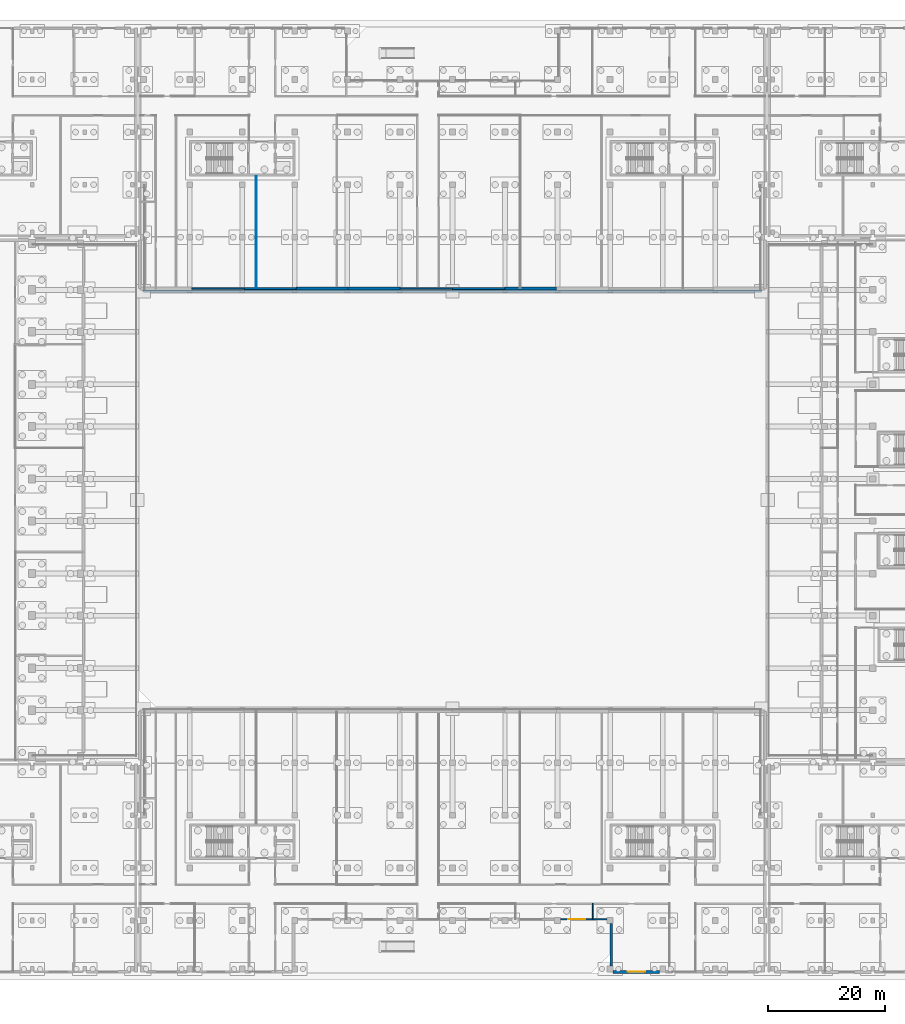
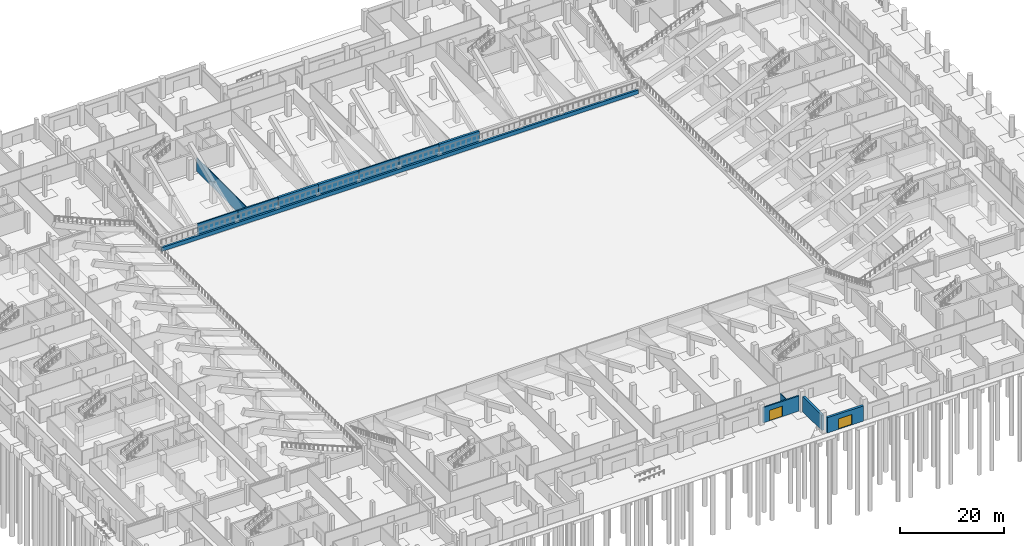
# One storey, part 23 of 53: 13 walls, 2 doors, 2 openings.
"""IFC4 building model written with IfcOpenShell, lengths in metres."""

from ifc_helpers import new_model, si_unit, direction, frame, frame_2d, origin, place, context, subcontext, project, spatial, rectangle, extrude, material, layer, layer_set, type_object, element, fill, save


model = new_model("IFC4")

# Units and contexts
model_context = context("Model", 3, precision=1e-05, world=origin(), true_north=direction((0.0, 1.0)))
body_context = subcontext(model_context, "Body", "Model", "MODEL_VIEW")
ifc_project = project(units=[si_unit("LENGTHUNIT", "METRE"), si_unit("AREAUNIT", "SQUARE_METRE"), si_unit("VOLUMEUNIT", "CUBIC_METRE"), si_unit("PLANEANGLEUNIT", "RADIAN"), si_unit("MASSUNIT", "GRAM", prefix="KILO"), si_unit("THERMODYNAMICTEMPERATUREUNIT", "KELVIN"), si_unit("POWERUNIT", "WATT")], contexts=[model_context])

# Site, building, storey
site_placement = place(None, origin())
site = spatial("IfcSite", under=ifc_project, at=site_placement, CompositionType="ELEMENT")
building_placement = place(site_placement, origin())
building = spatial("IfcBuilding", under=site, at=building_placement, Name="Sindhuravela Promenade Stadium", CompositionType="ELEMENT")
storey_placement = place(building_placement, origin())
storey = spatial("IfcBuildingStorey", under=building, at=storey_placement, Name="L00", CompositionType="ELEMENT", Elevation=0.0)

# Walls
ifc_material_1 = material(Name="Dholpur sandstone ashlar (45 MPa)", Category="masonry")
ifc_layer_1 = layer(ifc_material_1, 0.2900390625)
ifc_layer_set_1 = layer_set([ifc_layer_1], Name="Dholpur sandstone ashlar (45 MPa)")
wall_type_1 = type_object("IfcWallType", Name="EX-WL-SND290", PredefinedType="SOLIDWALL", material=ifc_layer_set_1)
for number, where, z_axis, x_axis, name in (
    (1, (108.0, 117.199951171875, 0.0), (0.0, 0.0, 1.0), (-1.0, 0.0, 0.0), "Exterior masonry wall EW10 NORTH L00"),
    (2, (72.300048828125, 117.199951171875, 0.0), (0.0, 0.0, 1.0), (-1.0, 0.0, 0.0), "Exterior masonry wall EW10 NORTH L00"),
):
    element("IfcWall", number, at=place(storey_placement, frame(where, z_axis=z_axis, x_axis=x_axis)), inside=storey, type_object=wall_type_1, Name=name, PredefinedType="SOLIDWALL", context=body_context, shape_type="SweptSolid", body=[
        extrude(rectangle(XDim=8.925048828125, YDim=0.2900390625, at=frame_2d((4.46240234375, 0.0))), origin(), (0.0, 0.0, 1.0), 3.280029296875),
    ])
ifc_layer_2 = layer(ifc_material_1, 0.31005859375)
ifc_layer_set_2 = layer_set([ifc_layer_2], Name="Dholpur sandstone ashlar (45 MPa)")
wall_type_2 = type_object("IfcWallType", Name="EX-WL-SND310", PredefinedType="SOLIDWALL", material=ifc_layer_set_2)
for number, where, z_axis, x_axis, name in (
    (3, (116.925048828125, 117.199951171875, 0.0), (0.0, 0.0, 1.0), (-1.0, 0.0, 0.0), "Exterior masonry wall EW09 NORTH L00"),
    (4, (81.22509765625, 117.199951171875, 0.0), (0.0, 0.0, 1.0), (-1.0, 0.0, 0.0), "Exterior masonry wall EW09 NORTH L00"),
):
    element("IfcWall", number, at=place(storey_placement, frame(where, z_axis=z_axis, x_axis=x_axis)), inside=storey, type_object=wall_type_2, Name=name, PredefinedType="SOLIDWALL", context=body_context, shape_type="SweptSolid", body=[
        extrude(rectangle(XDim=8.925048828125, YDim=0.31005859375, at=frame_2d((4.46240234375, 0.0))), origin(), (0.0, 0.0, 1.0), 3.280029296875),
    ])

# Wall, opening, door
wall_1_placement = place(storey_placement, frame((134.4951171875, 9.199951171875, 0.0), z_axis=(0.0, 0.0, 1.0), x_axis=(-1.0, 0.0, 0.0)))
wall_1 = element("IfcWall", 5, at=wall_1_placement, inside=storey, type_object=wall_type_2, Name="Exterior masonry wall EW09 SOUTH L00", PredefinedType="SOLIDWALL", context=body_context, shape_type="SweptSolid", body=[
    extrude(rectangle(XDim=7.990234375, YDim=0.31005859375, at=frame_2d((3.9951171875, 0.0))), origin(), (0.0, 0.0, 1.0), 3.580078125),
])
opening_1_placement = place(wall_1_placement, frame((3.744140625, 0.0, 0.0)))
opening_1 = element("IfcOpeningElement", 6, at=opening_1_placement, cuts=wall_1, Name="Opening G04", PredefinedType="OPENING", context=body_context, shape_type="SweptSolid", body=[
    extrude(rectangle(XDim=2.89990234375, YDim=2.449951171875, at=frame_2d((1.449951171875, 1.22509765625))), frame((0.0, 0.1650390625, 0.0), z_axis=(0.0, -1.0, 0.0), x_axis=(1.0, 0.0, 0.0)), (0.0, 0.0, 1.0), 0.330078125),
])
ifc_material_2 = material(Name="Anodised architectural aluminium 6063-T6", Category="aluminium")
door_type_1 = type_object("IfcDoorType", Name="DR-EXIT-2900x2450", OperationType="DOUBLE_DOOR_SINGLE_SWING", PredefinedType="DOOR", material=ifc_material_2)
door_1_placement = place(opening_1_placement, origin())
door_1 = element("IfcDoor", 7, at=door_1_placement, inside=storey, type_object=door_type_1, Name="Gate exit door G04", OperationType="DOUBLE_DOOR_SINGLE_SWING", OverallHeight=2.449951171875, OverallWidth=2.89990234375, PredefinedType="DOOR", context=body_context, shape_type="SweptSolid", body=[
    extrude(rectangle(XDim=2.89990234375, YDim=2.449951171875, at=frame_2d((1.449951171875, 1.22509765625))), frame((0.0, 0.02490234375, 0.0), z_axis=(0.0, -1.0, 0.0), x_axis=(1.0, 0.0, 0.0)), (0.0, 0.0, 1.0), 0.050048828125),
])
fill(opening_1, door_1)

# Walls
ifc_layer_3 = layer(ifc_material_1, 0.47998046875)
ifc_layer_set_3 = layer_set([ifc_layer_3], Name="Dholpur sandstone ashlar (45 MPa)")
wall_type_3 = type_object("IfcWallType", Name="EX-WL-SND480", PredefinedType="SOLIDWALL", material=ifc_layer_set_3)
wall_2_placement = place(storey_placement, frame((125.85009765625, 117.199951171875, 0.0), z_axis=(0.0, 0.0, 1.0), x_axis=(-1.0, 0.0, 0.0)))
element("IfcWall", 8, at=wall_2_placement, inside=storey, type_object=wall_type_3, Name="Exterior masonry wall EW08 NORTH L00", PredefinedType="SOLIDWALL", context=body_context, shape_type="SweptSolid", body=[
    extrude(rectangle(XDim=8.925048828125, YDim=0.47998046875, at=frame_2d((4.46240234375, 0.0))), origin(), (0.0, 0.0, 1.0), 3.280029296875),
])
wall_3_placement = place(storey_placement, frame((90.14990234375, 117.199951171875, 0.0), z_axis=(0.0, 0.0, 1.0), x_axis=(-1.0, 0.0, 0.0)))
element("IfcWall", 9, at=wall_3_placement, inside=storey, type_object=wall_type_3, Name="Exterior masonry wall EW08 NORTH L00", PredefinedType="SOLIDWALL", context=body_context, shape_type="SweptSolid", body=[
    extrude(rectangle(XDim=8.9248046875, YDim=0.47998046875, at=frame_2d((4.46240234375, 0.0))), origin(), (0.0, 0.0, 1.0), 3.280029296875),
])
wall_4_placement = place(storey_placement, frame((135.199951171875, 1.205078125, 0.0), z_axis=(0.0, 0.0, 1.0), x_axis=(0.0, 1.0, 0.0)))
element("IfcWall", 10, at=wall_4_placement, inside=storey, type_object=wall_type_3, Name="Exterior masonry wall EW08 SOUTH L00", PredefinedType="SOLIDWALL", context=body_context, shape_type="SweptSolid", body=[
    extrude(rectangle(XDim=7.2900390625, YDim=0.47998046875, at=frame_2d((3.64501953125, 0.0))), origin(), (0.0, 0.0, 1.0), 3.580078125),
])
ifc_layer_4 = layer(ifc_material_1, 0.5)
ifc_layer_set_4 = layer_set([ifc_layer_4], Name="Dholpur sandstone ashlar (45 MPa)")
wall_type_4 = type_object("IfcWallType", Name="EX-WL-SND500", PredefinedType="SOLIDWALL", material=ifc_layer_set_4)
wall_5_placement = place(storey_placement, frame((99.074951171875, 117.199951171875, 0.0), z_axis=(0.0, 0.0, 1.0), x_axis=(-1.0, 0.0, 0.0)))
element("IfcWall", 11, at=wall_5_placement, inside=storey, type_object=wall_type_4, Name="Exterior masonry wall EW07 NORTH L00", PredefinedType="SOLIDWALL", context=body_context, shape_type="SweptSolid", body=[
    extrude(rectangle(XDim=8.925048828125, YDim=0.5, at=frame_2d((4.46240234375, 0.0))), origin(), (0.0, 0.0, 1.0), 3.280029296875),
])

# Wall, opening, door
wall_6_placement = place(storey_placement, frame((143.4951171875, 0.199951171875, 0.0), z_axis=(0.0, 0.0, 1.0), x_axis=(-1.0, 0.0, 0.0)))
wall_6 = element("IfcWall", 12, at=wall_6_placement, inside=storey, type_object=wall_type_4, Name="Exterior masonry wall EW07 SOUTH L00", PredefinedType="SOLIDWALL", context=body_context, shape_type="SweptSolid", body=[
    extrude(rectangle(XDim=7.990234375, YDim=0.5, at=frame_2d((3.9951171875, 0.0))), origin(), (0.0, 0.0, 1.0), 3.580078125),
])
opening_2_placement = place(wall_6_placement, frame((2.4951171875, 0.0, 0.0)))
opening_2 = element("IfcOpeningElement", 13, at=opening_2_placement, cuts=wall_6, Name="Opening G03", PredefinedType="OPENING", context=body_context, shape_type="SweptSolid", body=[
    extrude(rectangle(XDim=3.0, YDim=2.449951171875, at=frame_2d((1.5, 1.22509765625))), frame((0.0, 0.260009765625, 0.0), z_axis=(0.0, -1.0, 0.0), x_axis=(1.0, 0.0, 0.0)), (0.0, 0.0, 1.0), 0.52001953125),
])
door_type_2 = type_object("IfcDoorType", Name="DR-EXIT-3000x2450", OperationType="DOUBLE_DOOR_SINGLE_SWING", PredefinedType="DOOR", material=ifc_material_2)
door_2_placement = place(opening_2_placement, origin())
door_2 = element("IfcDoor", 14, at=door_2_placement, inside=storey, type_object=door_type_2, Name="Gate exit door G03", OperationType="DOUBLE_DOOR_SINGLE_SWING", OverallHeight=2.449951171875, OverallWidth=3.0, PredefinedType="DOOR", context=body_context, shape_type="SweptSolid", body=[
    extrude(rectangle(XDim=3.0, YDim=2.449951171875, at=frame_2d((1.5, 1.22509765625))), frame((0.0, 0.02490234375, 0.0), z_axis=(0.0, -1.0, 0.0), x_axis=(1.0, 0.0, 0.0)), (0.0, 0.0, 1.0), 0.050048828125),
])
fill(opening_2, door_2)

# Walls
ifc_material_3 = material(Name="Fire-rated gypsum partition board", Category="gypsum")
ifc_layer_5 = layer(ifc_material_3, 0.14990234375)
ifc_layer_set_5 = layer_set([ifc_layer_5], Name="Fire-rated gypsum partition board")
wall_type_5 = type_object("IfcWallType", Name="IN-WL-PAR150", PredefinedType="PARTITIONING", material=ifc_layer_set_5)
wall_7_placement = place(storey_placement, frame((74.413330078125, 117.239990234375, 0.0), z_axis=(0.0, 0.0, 1.0), x_axis=(0.0, 1.0, 0.0)))
element("IfcWall", 15, at=wall_7_placement, inside=storey, type_object=wall_type_5, Name="Interior partition IW04 NORTH L00", PredefinedType="PARTITIONING", context=body_context, shape_type="SweptSolid", body=[
    extrude(rectangle(XDim=19.2080078125, YDim=0.14990234375, at=frame_2d((9.60400390625, 0.0))), origin(), (0.0, 0.0, 1.0), 3.280029296875),
])
ifc_layer_6 = layer(ifc_material_3, 0.175048828125)
ifc_layer_set_6 = layer_set([ifc_layer_6], Name="Fire-rated gypsum partition board")
wall_type_6 = type_object("IfcWallType", Name="IN-WL-PAR175", PredefinedType="PARTITIONING", material=ifc_layer_set_6)
wall_8_placement = place(storey_placement, frame((131.98681640625, 9.239990234375, 0.0), z_axis=(0.0, 0.0, 1.0), x_axis=(0.0, 1.0, 0.0)))
element("IfcWall", 16, at=wall_8_placement, inside=storey, type_object=wall_type_6, Name="Interior partition IW03 SOUTH L00", PredefinedType="PARTITIONING", context=body_context, shape_type="SweptSolid", body=[
    extrude(rectangle(XDim=2.699951171875, YDim=0.175048828125, at=frame_2d((1.35009765625, 0.0))), origin(), (0.0, 0.0, 1.0), 3.280029296875),
])
ifc_material_4 = material(Name="Concrete M50", Category="concrete")
ifc_layer_7 = layer(ifc_material_4, 0.43994140625)
ifc_layer_set_7 = layer_set([ifc_layer_7], Name="Concrete M50")
wall_type_7 = type_object("IfcWallType", Name="RC-WL-PLINTH440", PredefinedType="SOLIDWALL", material=ifc_layer_set_7)
wall_9_placement = place(storey_placement, frame((160.89990234375, 116.75, 0.0), z_axis=(0.0, 0.0, 1.0), x_axis=(-1.0, 0.0, 0.0)))
element("IfcWall", 17, at=wall_9_placement, inside=storey, type_object=wall_type_7, Name="Bowl front plinth wall PW-NORTH", PredefinedType="SOLIDWALL", context=body_context, shape_type="SweptSolid", body=[
    extrude(rectangle(XDim=105.7998046875, YDim=0.43994140625, at=frame_2d((52.89990234375, 0.0))), origin(), (0.0, 0.0, 1.0), 0.89990234375),
])

save(model, "model.ifc")
